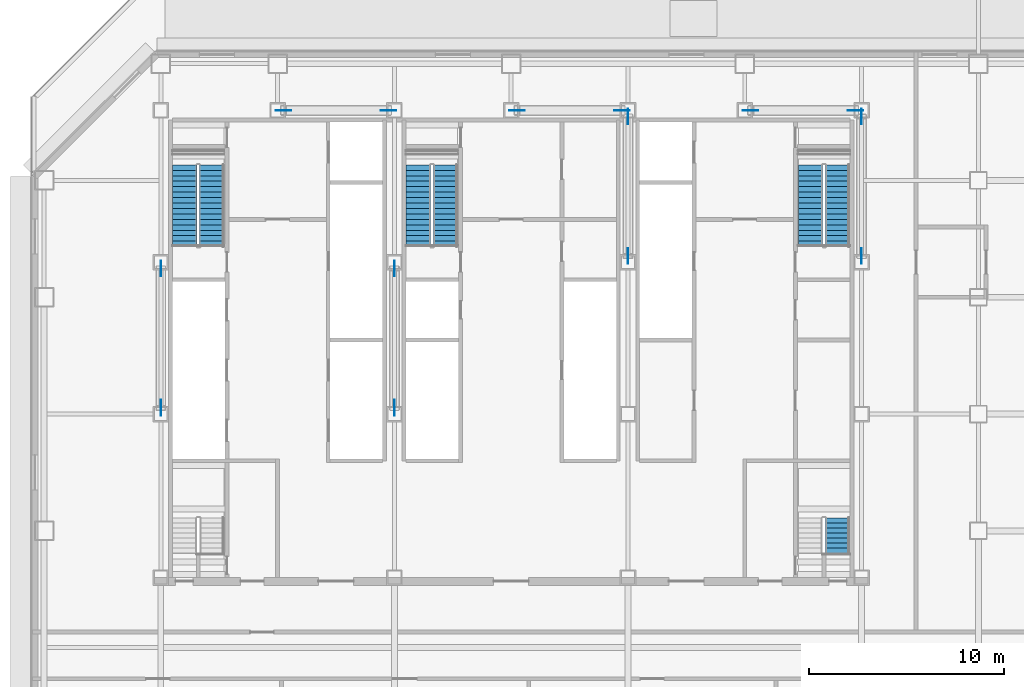
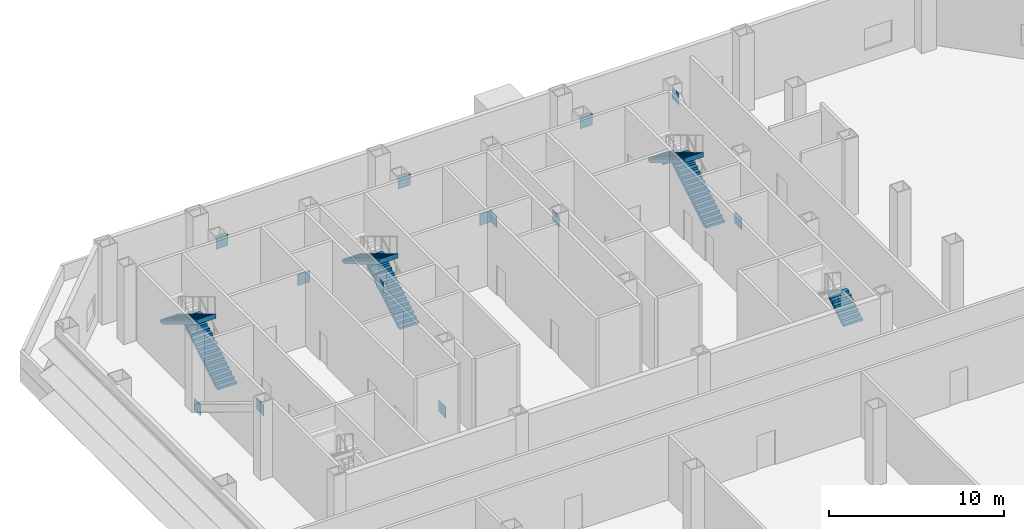
# One storey, part 8 of 11: 14 discrete accessories, 7 stair flights, 4 elements without a shape of their own.
"""IFC4 building model written with IfcOpenShell, lengths in metres."""

from ifc_helpers import new_model, si_unit, direction, frame, origin, origin_2d, place, context, subcontext, project, spatial, polyline, rectangle, outline, extrude, material, layer, layer_set, type_object, element, aggregate, save


model = new_model("IFC4")

# Units and contexts
model_context = context("Model", 3, precision=1e-05, world=origin(), true_north=direction((0.0, 1.0)))
body_context = subcontext(model_context, "Body", "Model", "MODEL_VIEW")
ifc_project = project(units=[si_unit("LENGTHUNIT", "METRE"), si_unit("AREAUNIT", "SQUARE_METRE"), si_unit("VOLUMEUNIT", "CUBIC_METRE"), si_unit("PLANEANGLEUNIT", "RADIAN"), si_unit("MASSUNIT", "GRAM", prefix="KILO")], contexts=[model_context])

# Site, building, storey
site_placement = place(None, origin())
site = spatial("IfcSite", under=ifc_project, at=site_placement, CompositionType="ELEMENT")
building_placement = place(site_placement, origin())
building = spatial("IfcBuilding", under=site, at=building_placement, Name="Sorahane Residences", CompositionType="ELEMENT")
storey_placement = place(building_placement, frame((0.0, 0.0, 44.39990234375)))
storey = spatial("IfcBuildingStorey", under=building, at=storey_placement, Name="L07", CompositionType="ELEMENT", Elevation=44.39990234375)

# Stair, stair flights
ifc_material_1 = material(Name="Concrete C40", Category="concrete")
stair_type = type_object("IfcStairType", Name="Dog-leg stair 1250 Concrete C40", PredefinedType="HALF_TURN_STAIR", material=ifc_material_1)
stair_1_placement = place(storey_placement, origin())
stair_1 = element("IfcStair", 1, at=stair_1_placement, inside=storey, type_object=stair_type, Name="L07 Stair S1", PredefinedType="HALF_TURN_STAIR")
ifc_material_2 = material(Name="Concrete C40", Category="concrete")
stair_flight_type = type_object("IfcStairFlightType", Name="Stair flight 1250 Concrete C40", PredefinedType="STRAIGHT", material=ifc_material_2)
stair_flight_1_placement = place(storey_placement, frame((8.625, 38.60009765625, 0.0), z_axis=(0.0, 0.0, 1.0), x_axis=(0.0, 1.0, 0.0)))
stair_flight_1 = element("IfcStairFlight", 2, at=stair_flight_1_placement, type_object=stair_flight_type, Name="S1 flight 1", NumberOfRisers=16, NumberOfTreads=15, PredefinedType="STRAIGHT", RiserHeight=0.16875, TreadLength=0.28, context=body_context, shape_type="SweptSolid", body=[
    extrude(outline(polyline([(-0.00146484375, 0.0), (-0.00146484375, 0.168701171875), (0.0, 0.168701171875), (0.280029296875, 0.168701171875), (0.280029296875, 0.33740234375), (0.56005859375, 0.33740234375), (0.56005859375, 0.50634765625), (0.840087890625, 0.50634765625), (0.840087890625, 0.675048828125), (1.1201171875, 0.675048828125), (1.1201171875, 0.84375), (1.39990234375, 0.84375), (1.39990234375, 1.012451171875), (1.679931640625, 1.012451171875), (1.679931640625, 1.18115234375), (1.9599609375, 1.18115234375), (1.9599609375, 1.35009765625), (2.239990234375, 1.35009765625), (2.239990234375, 1.518798828125), (2.52001953125, 1.518798828125), (2.52001953125, 1.6875), (2.800048828125, 1.6875), (2.800048828125, 1.856201171875), (3.080078125, 1.856201171875), (3.080078125, 2.02490234375), (3.360107421875, 2.02490234375), (3.360107421875, 2.19384765625), (3.639892578125, 2.19384765625), (3.639892578125, 2.362548828125), (3.919921875, 2.362548828125), (3.919921875, 2.53125), (4.199951171875, 2.53125), (4.199951171875, 2.699951171875), (4.199951171875, 2.356201171875), (3.969970703125, 2.217529296875), (3.739990234375, 2.0791015625), (3.510009765625, 1.9404296875), (3.280029296875, 1.8017578125), (3.050048828125, 1.663330078125), (2.820068359375, 1.524658203125), (2.590087890625, 1.385986328125), (2.360107421875, 1.247314453125), (2.130126953125, 1.10888671875), (1.900146484375, 0.97021484375), (1.670166015625, 0.83154296875), (1.440185546875, 0.693115234375), (1.210205078125, 0.554443359375), (0.980224609375, 0.415771484375), (0.750244140625, 0.277099609375), (0.520263671875, 0.138671875), (0.29052734375, 0.0), (-0.00146484375, 0.0)])), frame((0.0, 0.625, 0.0), z_axis=(0.0, -1.0, 0.0), x_axis=(1.0, 0.0, 0.0)), (0.0, 0.0, 1.0), 1.25),
])
stair_flight_2_placement = place(storey_placement, frame((7.22509765625, 42.800048828125, 2.7001953125), z_axis=(0.0, 0.0, 1.0), x_axis=(0.0, -1.0, 0.0)))
stair_flight_2 = element("IfcStairFlight", 3, at=stair_flight_2_placement, type_object=stair_flight_type, Name="S1 flight 2", NumberOfRisers=16, NumberOfTreads=15, PredefinedType="STRAIGHT", RiserHeight=0.16875, TreadLength=0.28, context=body_context, shape_type="SweptSolid", body=[
    extrude(outline(polyline([(0.0, 0.0), (0.0, 0.168701171875), (0.280029296875, 0.168701171875), (0.280029296875, 0.33740234375), (0.56005859375, 0.33740234375), (0.56005859375, 0.50634765625), (0.840087890625, 0.50634765625), (0.840087890625, 0.675048828125), (1.1201171875, 0.675048828125), (1.1201171875, 0.84375), (1.39990234375, 0.84375), (1.39990234375, 1.012451171875), (1.679931640625, 1.012451171875), (1.679931640625, 1.18115234375), (1.9599609375, 1.18115234375), (1.9599609375, 1.35009765625), (2.239990234375, 1.35009765625), (2.239990234375, 1.518798828125), (2.52001953125, 1.518798828125), (2.52001953125, 1.6875), (2.800048828125, 1.6875), (2.800048828125, 1.856201171875), (3.080078125, 1.856201171875), (3.080078125, 2.02490234375), (3.360107421875, 2.02490234375), (3.360107421875, 2.19384765625), (3.639892578125, 2.19384765625), (3.639892578125, 2.362548828125), (3.919921875, 2.362548828125), (3.919921875, 2.53125), (4.199951171875, 2.53125), (4.199951171875, 2.699951171875), (4.201416015625, 2.699951171875), (4.201416015625, 2.356201171875), (3.971435546875, 2.217529296875), (3.741455078125, 2.0791015625), (3.51123046875, 1.9404296875), (3.28125, 1.8017578125), (3.05126953125, 1.663330078125), (2.821044921875, 1.524658203125), (2.591064453125, 1.385986328125), (2.361083984375, 1.247314453125), (2.130859375, 1.10888671875), (1.90087890625, 0.97021484375), (1.6708984375, 0.83154296875), (1.440673828125, 0.693115234375), (1.210693359375, 0.554443359375), (0.980712890625, 0.415771484375), (0.75048828125, 0.277099609375), (0.5205078125, 0.138671875), (0.29052734375, 0.0), (0.0, 0.0)])), frame((0.0, 0.625, 0.0), z_axis=(0.0, -1.0, 0.0), x_axis=(1.0, 0.0, 0.0)), (0.0, 0.0, 1.0), 1.25),
])
aggregate(stair_1, [stair_flight_1, stair_flight_2])

stair_2_placement = place(storey_placement, origin())
stair_2 = element("IfcStair", 4, at=stair_2_placement, inside=storey, type_object=stair_type, Name="L07 Stair S2", PredefinedType="HALF_TURN_STAIR")
stair_flight_3_placement = place(storey_placement, frame((40.77490234375, 38.60009765625, 0.0), z_axis=(0.0, 0.0, 1.0), x_axis=(0.0, 1.0, 0.0)))
stair_flight_3 = element("IfcStairFlight", 5, at=stair_flight_3_placement, type_object=stair_flight_type, Name="S2 flight 1", NumberOfRisers=16, NumberOfTreads=15, PredefinedType="STRAIGHT", RiserHeight=0.16875, TreadLength=0.28, context=body_context, shape_type="SweptSolid", body=[
    extrude(outline(polyline([(-0.00146484375, 0.0), (-0.00146484375, 0.168701171875), (0.0, 0.168701171875), (0.280029296875, 0.168701171875), (0.280029296875, 0.33740234375), (0.56005859375, 0.33740234375), (0.56005859375, 0.50634765625), (0.840087890625, 0.50634765625), (0.840087890625, 0.675048828125), (1.1201171875, 0.675048828125), (1.1201171875, 0.84375), (1.39990234375, 0.84375), (1.39990234375, 1.012451171875), (1.679931640625, 1.012451171875), (1.679931640625, 1.18115234375), (1.9599609375, 1.18115234375), (1.9599609375, 1.35009765625), (2.239990234375, 1.35009765625), (2.239990234375, 1.518798828125), (2.52001953125, 1.518798828125), (2.52001953125, 1.6875), (2.800048828125, 1.6875), (2.800048828125, 1.856201171875), (3.080078125, 1.856201171875), (3.080078125, 2.02490234375), (3.360107421875, 2.02490234375), (3.360107421875, 2.19384765625), (3.639892578125, 2.19384765625), (3.639892578125, 2.362548828125), (3.919921875, 2.362548828125), (3.919921875, 2.53125), (4.199951171875, 2.53125), (4.199951171875, 2.699951171875), (4.199951171875, 2.356201171875), (3.969970703125, 2.217529296875), (3.739990234375, 2.0791015625), (3.510009765625, 1.9404296875), (3.280029296875, 1.8017578125), (3.050048828125, 1.663330078125), (2.820068359375, 1.524658203125), (2.590087890625, 1.385986328125), (2.360107421875, 1.247314453125), (2.130126953125, 1.10888671875), (1.900146484375, 0.97021484375), (1.670166015625, 0.83154296875), (1.440185546875, 0.693115234375), (1.210205078125, 0.554443359375), (0.980224609375, 0.415771484375), (0.750244140625, 0.277099609375), (0.520263671875, 0.138671875), (0.29052734375, 0.0), (-0.00146484375, 0.0)])), frame((0.0, 0.625, 0.0), z_axis=(0.0, -1.0, 0.0), x_axis=(1.0, 0.0, 0.0)), (0.0, 0.0, 1.0), 1.25),
])
stair_flight_4_placement = place(storey_placement, frame((39.375, 42.800048828125, 2.7001953125), z_axis=(0.0, 0.0, 1.0), x_axis=(0.0, -1.0, 0.0)))
stair_flight_4 = element("IfcStairFlight", 6, at=stair_flight_4_placement, type_object=stair_flight_type, Name="S2 flight 2", NumberOfRisers=16, NumberOfTreads=15, PredefinedType="STRAIGHT", RiserHeight=0.16875, TreadLength=0.28, context=body_context, shape_type="SweptSolid", body=[
    extrude(outline(polyline([(0.0, 0.0), (0.0, 0.168701171875), (0.280029296875, 0.168701171875), (0.280029296875, 0.33740234375), (0.56005859375, 0.33740234375), (0.56005859375, 0.50634765625), (0.840087890625, 0.50634765625), (0.840087890625, 0.675048828125), (1.1201171875, 0.675048828125), (1.1201171875, 0.84375), (1.39990234375, 0.84375), (1.39990234375, 1.012451171875), (1.679931640625, 1.012451171875), (1.679931640625, 1.18115234375), (1.9599609375, 1.18115234375), (1.9599609375, 1.35009765625), (2.239990234375, 1.35009765625), (2.239990234375, 1.518798828125), (2.52001953125, 1.518798828125), (2.52001953125, 1.6875), (2.800048828125, 1.6875), (2.800048828125, 1.856201171875), (3.080078125, 1.856201171875), (3.080078125, 2.02490234375), (3.360107421875, 2.02490234375), (3.360107421875, 2.19384765625), (3.639892578125, 2.19384765625), (3.639892578125, 2.362548828125), (3.919921875, 2.362548828125), (3.919921875, 2.53125), (4.199951171875, 2.53125), (4.199951171875, 2.699951171875), (4.201416015625, 2.699951171875), (4.201416015625, 2.356201171875), (3.971435546875, 2.217529296875), (3.741455078125, 2.0791015625), (3.51123046875, 1.9404296875), (3.28125, 1.8017578125), (3.05126953125, 1.663330078125), (2.821044921875, 1.524658203125), (2.591064453125, 1.385986328125), (2.361083984375, 1.247314453125), (2.130859375, 1.10888671875), (1.90087890625, 0.97021484375), (1.6708984375, 0.83154296875), (1.440673828125, 0.693115234375), (1.210693359375, 0.554443359375), (0.980712890625, 0.415771484375), (0.75048828125, 0.277099609375), (0.5205078125, 0.138671875), (0.29052734375, 0.0), (0.0, 0.0)])), frame((0.0, 0.625, 0.0), z_axis=(0.0, -1.0, 0.0), x_axis=(1.0, 0.0, 0.0)), (0.0, 0.0, 1.0), 1.25),
])
aggregate(stair_2, [stair_flight_3, stair_flight_4])

stair_3_placement = place(storey_placement, origin())
stair_3 = element("IfcStair", 7, at=stair_3_placement, inside=storey, type_object=stair_type, Name="L07 Stair S3", PredefinedType="HALF_TURN_STAIR")
stair_flight_5_placement = place(storey_placement, frame((20.625, 38.60009765625, 0.0), z_axis=(0.0, 0.0, 1.0), x_axis=(0.0, 1.0, 0.0)))
stair_flight_5 = element("IfcStairFlight", 8, at=stair_flight_5_placement, type_object=stair_flight_type, Name="S3 flight 1", NumberOfRisers=16, NumberOfTreads=15, PredefinedType="STRAIGHT", RiserHeight=0.16875, TreadLength=0.28, context=body_context, shape_type="SweptSolid", body=[
    extrude(outline(polyline([(-0.00146484375, 0.0), (-0.00146484375, 0.168701171875), (0.0, 0.168701171875), (0.280029296875, 0.168701171875), (0.280029296875, 0.33740234375), (0.56005859375, 0.33740234375), (0.56005859375, 0.50634765625), (0.840087890625, 0.50634765625), (0.840087890625, 0.675048828125), (1.1201171875, 0.675048828125), (1.1201171875, 0.84375), (1.39990234375, 0.84375), (1.39990234375, 1.012451171875), (1.679931640625, 1.012451171875), (1.679931640625, 1.18115234375), (1.9599609375, 1.18115234375), (1.9599609375, 1.35009765625), (2.239990234375, 1.35009765625), (2.239990234375, 1.518798828125), (2.52001953125, 1.518798828125), (2.52001953125, 1.6875), (2.800048828125, 1.6875), (2.800048828125, 1.856201171875), (3.080078125, 1.856201171875), (3.080078125, 2.02490234375), (3.360107421875, 2.02490234375), (3.360107421875, 2.19384765625), (3.639892578125, 2.19384765625), (3.639892578125, 2.362548828125), (3.919921875, 2.362548828125), (3.919921875, 2.53125), (4.199951171875, 2.53125), (4.199951171875, 2.699951171875), (4.199951171875, 2.356201171875), (3.969970703125, 2.217529296875), (3.739990234375, 2.0791015625), (3.510009765625, 1.9404296875), (3.280029296875, 1.8017578125), (3.050048828125, 1.663330078125), (2.820068359375, 1.524658203125), (2.590087890625, 1.385986328125), (2.360107421875, 1.247314453125), (2.130126953125, 1.10888671875), (1.900146484375, 0.97021484375), (1.670166015625, 0.83154296875), (1.440185546875, 0.693115234375), (1.210205078125, 0.554443359375), (0.980224609375, 0.415771484375), (0.750244140625, 0.277099609375), (0.520263671875, 0.138671875), (0.29052734375, 0.0), (-0.00146484375, 0.0)])), frame((0.0, 0.625, 0.0), z_axis=(0.0, -1.0, 0.0), x_axis=(1.0, 0.0, 0.0)), (0.0, 0.0, 1.0), 1.25),
])
stair_flight_6_placement = place(storey_placement, frame((19.22509765625, 42.800048828125, 2.7001953125), z_axis=(0.0, 0.0, 1.0), x_axis=(0.0, -1.0, 0.0)))
stair_flight_6 = element("IfcStairFlight", 9, at=stair_flight_6_placement, type_object=stair_flight_type, Name="S3 flight 2", NumberOfRisers=16, NumberOfTreads=15, PredefinedType="STRAIGHT", RiserHeight=0.16875, TreadLength=0.28, context=body_context, shape_type="SweptSolid", body=[
    extrude(outline(polyline([(0.0, 0.0), (0.0, 0.168701171875), (0.280029296875, 0.168701171875), (0.280029296875, 0.33740234375), (0.56005859375, 0.33740234375), (0.56005859375, 0.50634765625), (0.840087890625, 0.50634765625), (0.840087890625, 0.675048828125), (1.1201171875, 0.675048828125), (1.1201171875, 0.84375), (1.39990234375, 0.84375), (1.39990234375, 1.012451171875), (1.679931640625, 1.012451171875), (1.679931640625, 1.18115234375), (1.9599609375, 1.18115234375), (1.9599609375, 1.35009765625), (2.239990234375, 1.35009765625), (2.239990234375, 1.518798828125), (2.52001953125, 1.518798828125), (2.52001953125, 1.6875), (2.800048828125, 1.6875), (2.800048828125, 1.856201171875), (3.080078125, 1.856201171875), (3.080078125, 2.02490234375), (3.360107421875, 2.02490234375), (3.360107421875, 2.19384765625), (3.639892578125, 2.19384765625), (3.639892578125, 2.362548828125), (3.919921875, 2.362548828125), (3.919921875, 2.53125), (4.199951171875, 2.53125), (4.199951171875, 2.699951171875), (4.201416015625, 2.699951171875), (4.201416015625, 2.356201171875), (3.971435546875, 2.217529296875), (3.741455078125, 2.0791015625), (3.51123046875, 1.9404296875), (3.28125, 1.8017578125), (3.05126953125, 1.663330078125), (2.821044921875, 1.524658203125), (2.591064453125, 1.385986328125), (2.361083984375, 1.247314453125), (2.130859375, 1.10888671875), (1.90087890625, 0.97021484375), (1.6708984375, 0.83154296875), (1.440673828125, 0.693115234375), (1.210693359375, 0.554443359375), (0.980712890625, 0.415771484375), (0.75048828125, 0.277099609375), (0.5205078125, 0.138671875), (0.29052734375, 0.0), (0.0, 0.0)])), frame((0.0, 0.625, 0.0), z_axis=(0.0, -1.0, 0.0), x_axis=(1.0, 0.0, 0.0)), (0.0, 0.0, 1.0), 1.25),
])
aggregate(stair_3, [stair_flight_5, stair_flight_6])

# Stair, stair flight
stair_4_placement = place(storey_placement, origin())
stair_4 = element("IfcStair", 10, at=stair_4_placement, inside=storey, type_object=stair_type, Name="L07 Stair S5", PredefinedType="HALF_TURN_STAIR")
stair_flight_7_placement = place(storey_placement, frame((40.77490234375, 22.85009765625, 2.7001953125), z_axis=(0.0, 0.0, 1.0), x_axis=(0.0, 1.0, 0.0)))
stair_flight_7 = element("IfcStairFlight", 11, at=stair_flight_7_placement, type_object=stair_flight_type, Name="S5 flight 3", NumberOfRisers=8, NumberOfTreads=7, PredefinedType="STRAIGHT", RiserHeight=0.16875, TreadLength=0.26, context=body_context, shape_type="SweptSolid", body=[
    extrude(outline(polyline([(0.0, 0.0), (0.0, 0.002197265625), (0.0, 0.004150390625), (0.0, 0.00634765625), (0.0, 0.00830078125), (0.0, 0.010498046875), (0.0, 0.012451171875), (0.0, 0.0146484375), (0.0, 0.0166015625), (0.0, 0.018798828125), (0.0, 0.020751953125), (0.0, 0.02294921875), (0.0, 0.02490234375), (0.0, 0.027099609375), (0.0, 0.029052734375), (0.0, 0.03125), (0.0, 0.033447265625), (0.0, 0.035400390625), (0.0, 0.03759765625), (0.0, 0.03955078125), (0.0, 0.041748046875), (0.0, 0.043701171875), (0.0, 0.0458984375), (0.0, 0.0478515625), (0.0, 0.050048828125), (0.0, 0.052001953125), (0.0, 0.05419921875), (0.0, 0.05615234375), (0.0, 0.058349609375), (0.0, 0.060302734375), (0.0, 0.0625), (0.0, 0.064697265625), (0.0, 0.066650390625), (0.0, 0.06884765625), (0.0, 0.07080078125), (0.0, 0.072998046875), (0.0, 0.074951171875), (0.0, 0.0771484375), (0.0, 0.0791015625), (0.0, 0.081298828125), (0.0, 0.083251953125), (0.0, 0.08544921875), (0.0, 0.08740234375), (0.0, 0.089599609375), (0.0, 0.091552734375), (0.0, 0.09375), (0.0, 0.095947265625), (0.0, 0.097900390625), (0.0, 0.10009765625), (0.0, 0.10205078125), (0.0, 0.104248046875), (0.0, 0.106201171875), (0.0, 0.1083984375), (0.0, 0.1103515625), (0.0, 0.112548828125), (0.0, 0.114501953125), (0.0, 0.11669921875), (0.0, 0.11865234375), (0.0, 0.120849609375), (0.0, 0.122802734375), (0.0, 0.125), (0.0, 0.127197265625), (0.0, 0.129150390625), (0.0, 0.13134765625), (0.0, 0.13330078125), (0.0, 0.135498046875), (0.0, 0.137451171875), (0.0, 0.1396484375), (0.0, 0.1416015625), (0.0, 0.143798828125), (0.0, 0.145751953125), (0.0, 0.14794921875), (0.0, 0.14990234375), (0.0, 0.152099609375), (0.0, 0.154052734375), (0.0, 0.15625), (0.0, 0.158447265625), (0.0, 0.160400390625), (0.0, 0.16259765625), (0.0, 0.16455078125), (0.0, 0.166748046875), (0.0, 0.168701171875), (0.260009765625, 0.168701171875), (0.260009765625, 0.33740234375), (0.52001953125, 0.33740234375), (0.52001953125, 0.50634765625), (0.780029296875, 0.50634765625), (0.780029296875, 0.675048828125), (1.0400390625, 0.675048828125), (1.0400390625, 0.84375), (1.300048828125, 0.84375), (1.300048828125, 1.012451171875), (1.56005859375, 1.012451171875), (1.56005859375, 1.18115234375), (1.820068359375, 1.18115234375), (1.820068359375, 1.35009765625), (1.820068359375, 1.34619140625), (1.820068359375, 1.34228515625), (1.820068359375, 1.33837890625), (1.820068359375, 1.334716796875), (1.820068359375, 1.330810546875), (1.820068359375, 1.326904296875), (1.820068359375, 1.322998046875), (1.820068359375, 1.319091796875), (1.820068359375, 1.3154296875), (1.820068359375, 1.3115234375), (1.820068359375, 1.3076171875), (1.820068359375, 1.3037109375), (1.820068359375, 1.300048828125), (1.820068359375, 1.296142578125), (1.820068359375, 1.292236328125), (1.820068359375, 1.288330078125), (1.820068359375, 1.284423828125), (1.820068359375, 1.28076171875), (1.820068359375, 1.27685546875), (1.820068359375, 1.27294921875), (1.820068359375, 1.26904296875), (1.820068359375, 1.265380859375), (1.820068359375, 1.261474609375), (1.820068359375, 1.257568359375), (1.820068359375, 1.253662109375), (1.820068359375, 1.249755859375), (1.820068359375, 1.24609375), (1.820068359375, 1.2421875), (1.820068359375, 1.23828125), (1.820068359375, 1.234375), (1.820068359375, 1.230712890625), (1.820068359375, 1.226806640625), (1.820068359375, 1.222900390625), (1.820068359375, 1.218994140625), (1.820068359375, 1.215087890625), (1.820068359375, 1.21142578125), (1.820068359375, 1.20751953125), (1.820068359375, 1.20361328125), (1.820068359375, 1.19970703125), (1.820068359375, 1.196044921875), (1.820068359375, 1.192138671875), (1.820068359375, 1.188232421875), (1.820068359375, 1.184326171875), (1.820068359375, 1.1806640625), (1.820068359375, 1.1767578125), (1.820068359375, 1.1728515625), (1.820068359375, 1.1689453125), (1.820068359375, 1.1650390625), (1.820068359375, 1.161376953125), (1.820068359375, 1.157470703125), (1.820068359375, 1.153564453125), (1.820068359375, 1.149658203125), (1.820068359375, 1.14599609375), (1.820068359375, 1.14208984375), (1.820068359375, 1.13818359375), (1.820068359375, 1.13427734375), (1.820068359375, 1.13037109375), (1.820068359375, 1.126708984375), (1.820068359375, 1.122802734375), (1.820068359375, 1.118896484375), (1.820068359375, 1.114990234375), (1.820068359375, 1.111328125), (1.820068359375, 1.107421875), (1.820068359375, 1.103515625), (1.820068359375, 1.099609375), (1.820068359375, 1.095703125), (1.820068359375, 1.092041015625), (1.820068359375, 1.088134765625), (1.820068359375, 1.084228515625), (1.820068359375, 1.080322265625), (1.820068359375, 1.07666015625), (1.820068359375, 1.07275390625), (1.820068359375, 1.06884765625), (1.820068359375, 1.06494140625), (1.820068359375, 1.061279296875), (1.820068359375, 1.057373046875), (1.820068359375, 1.053466796875), (1.820068359375, 1.049560546875), (1.820068359375, 1.045654296875), (1.820068359375, 1.0419921875), (1.820068359375, 1.0380859375), (1.6201171875, 0.908203125), (1.420166015625, 0.778564453125), (1.22021484375, 0.648681640625), (1.020263671875, 0.51904296875), (0.8203125, 0.38916015625), (0.620361328125, 0.259521484375), (0.420654296875, 0.129638671875), (0.220703125, 0.0), (0.0, 0.0)])), frame((0.0, 0.625, 0.0), z_axis=(0.0, -1.0, 0.0), x_axis=(1.0, 0.0, 0.0)), (0.0, 0.0, 1.0), 1.25),
])
aggregate(stair_4, [stair_flight_7])

# Discrete accessories
ifc_material_3 = material(Name="Steel Q355B", Category="steel")
ifc_layer = layer(ifc_material_3, 0.02490234375)
ifc_layer_set = layer_set([ifc_layer], Name="Node plate Steel Q355B 25")
discrete_accessory_type = type_object("IfcDiscreteAccessoryType", Name="Node plate Steel Q355B 25", PredefinedType="BRACKET", material=ifc_layer_set)
for number, where, z_axis, x_axis, name in (
    (12, (6.0, 37.47802734375, -0.19775390625), (0.0, 0.0, 1.0), (0.0, 1.0, 0.0), "Node plate L07 br"),
    (13, (6.0, 30.322021484375, 4.16748046875), (0.0, 0.0, 1.0), (0.0, 1.0, 0.0), "Node plate L07 br"),
    (14, (18.0, 30.322021484375, -0.19775390625), (0.0, 0.0, 1.0), (0.0, 1.0, 0.0), "Node plate L07 br"),
    (15, (18.0, 37.47802734375, 4.16748046875), (0.0, 0.0, 1.0), (0.0, 1.0, 0.0), "Node plate L07 br"),
    (16, (30.0, 45.278076171875, -0.19775390625), (0.0, 0.0, 1.0), (0.0, 1.0, 0.0), "Node plate L07 br"),
    (17, (30.0, 38.121826171875, 4.16748046875), (0.0, 0.0, 1.0), (0.0, 1.0, 0.0), "Node plate L07 br"),
    (18, (42.0, 38.121826171875, -0.19775390625), (0.0, 0.0, 1.0), (0.0, 1.0, 0.0), "Node plate L07 br"),
    (19, (42.0, 45.278076171875, 4.16748046875), (0.0, 0.0, 1.0), (0.0, 1.0, 0.0), "Node plate L07 br"),
    (20, (17.6953125, 45.60009765625, -0.22802734375), (0.0, 0.0, 1.0), (1.0, 0.0, 0.0), "Node plate L07 br"),
    (21, (29.6953125, 45.60009765625, -0.22802734375), (0.0, 0.0, 1.0), (1.0, 0.0, 0.0), "Node plate L07 br"),
    (22, (41.6953125, 45.60009765625, -0.22802734375), (0.0, 0.0, 1.0), (1.0, 0.0, 0.0), "Node plate L07 br"),
    (23, (12.3046875, 45.60009765625, 4.1982421875), (0.0, 0.0, 1.0), (1.0, 0.0, 0.0), "Node plate L07 br"),
    (24, (24.3046875, 45.60009765625, 4.1982421875), (0.0, 0.0, 1.0), (1.0, 0.0, 0.0), "Node plate L07 br"),
    (25, (36.3046875, 45.60009765625, 4.1982421875), (0.0, 0.0, 1.0), (1.0, 0.0, 0.0), "Node plate L07 br"),
):
    element("IfcDiscreteAccessory", number, at=place(storey_placement, frame(where, z_axis=z_axis, x_axis=x_axis)), inside=storey, type_object=discrete_accessory_type, Name=name, PredefinedType="BRACKET", context=body_context, shape_type="SweptSolid", body=[
        extrude(rectangle(XDim=0.800048828125, YDim=0.02490234375, at=origin_2d()), origin(), (0.0, 0.0, 1.0), 0.800048828125),
    ])

save(model, "model.ifc")
